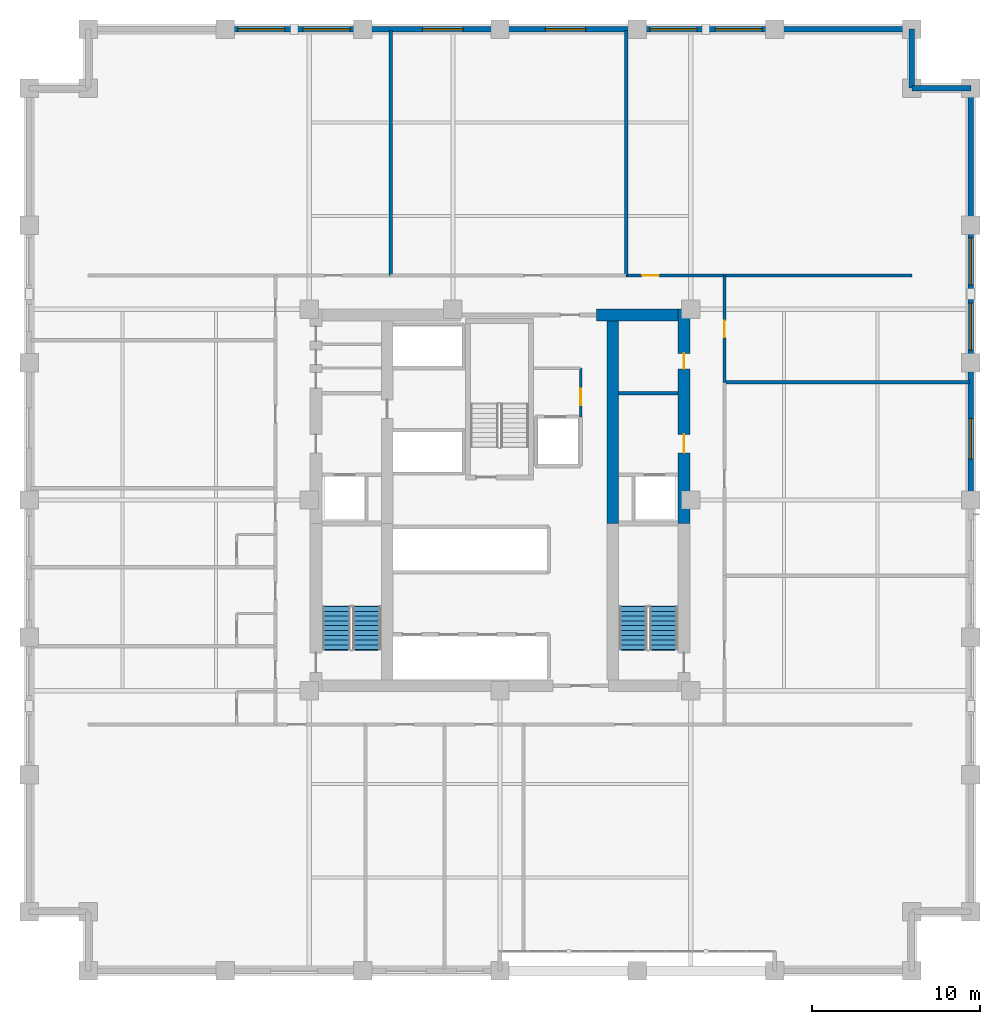
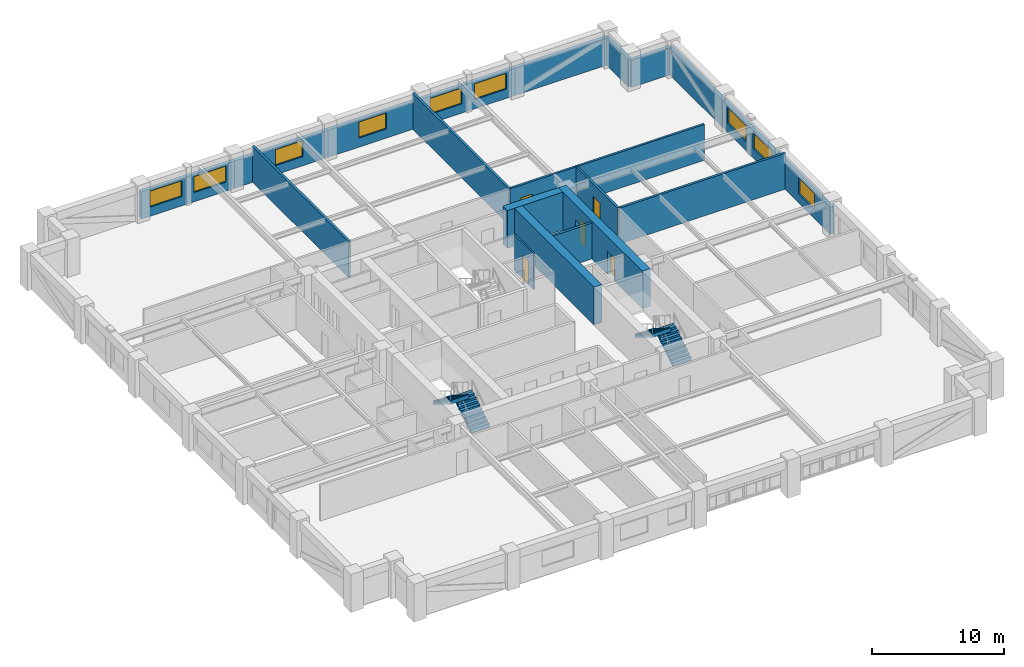
# One storey, part 10 of 13: 20 walls, 9 windows, 5 doors, 4 stair flights, 14 openings, 2 elements without a shape of their own.
"""IFC4 building model written with IfcOpenShell, lengths in metres."""

from ifc_helpers import new_model, si_unit, direction, frame, frame_2d, origin, place, context, subcontext, project, spatial, polyline, rectangle, outline, extrude, material, layer, layer_set, type_object, element, fill, aggregate, save


model = new_model("IFC4")

# Units and contexts
model_context = context("Model", 3, precision=1e-05, world=origin(), true_north=direction((0.0, 1.0)))
body_context = subcontext(model_context, "Body", "Model", "MODEL_VIEW")
ifc_project = project(units=[si_unit("LENGTHUNIT", "METRE"), si_unit("AREAUNIT", "SQUARE_METRE"), si_unit("VOLUMEUNIT", "CUBIC_METRE"), si_unit("PLANEANGLEUNIT", "RADIAN"), si_unit("MASSUNIT", "GRAM", prefix="KILO")], contexts=[model_context])

# Site, building, storey
site_placement = place(None, origin())
site = spatial("IfcSite", under=ifc_project, at=site_placement, CompositionType="ELEMENT")
building_placement = place(site_placement, origin())
building = spatial("IfcBuilding", under=site, at=building_placement, Name="Nhamokura Convention Tower", CompositionType="ELEMENT")
storey_placement = place(building_placement, frame((0.0, 0.0, 63.35009765625)))
storey = spatial("IfcBuildingStorey", under=building, at=storey_placement, Name="L14", CompositionType="ELEMENT", Elevation=63.35009765625)

# Wall, openings, windows
ifc_material_1 = material(Name="Bronze-pigmented precast concrete C45/55", Category="concrete")
ifc_layer_1 = layer(ifc_material_1, 0.320068359375)
ifc_layer_set_1 = layer_set([ifc_layer_1], Name="BronzePrecastSpandrel_320")
wall_type_1 = type_object("IfcWallType", Name="BronzePrecastSpandrel_320", PredefinedType="USERDEFINED", material=ifc_layer_set_1)
wall_1_placement = place(storey_placement, frame((15.666748046875, 60.0, 0.0), z_axis=(0.0, 0.0, 1.0), x_axis=(1.0, 0.0, 0.0)))
wall_1 = element("IfcWall", 1, at=wall_1_placement, inside=storey, type_object=wall_type_1, Name="L14 Masonry-Frame Wall NORTH 1", ObjectType="SPANDREL_WALL", PredefinedType="USERDEFINED", context=body_context, shape_type="SweptSolid", body=[
    extrude(rectangle(XDim=8.16650390625, YDim=0.320068359375, at=frame_2d((4.083251953125, 0.0))), origin(), (0.0, 0.0, 1.0), 2.52001953125),
])
opening_1_placement = place(wall_1_placement, frame((0.74169921875, 0.0, 0.85009765625)))
opening_1 = element("IfcOpeningElement", 2, at=opening_1_placement, cuts=wall_1, Name="Opening W-04", PredefinedType="OPENING", context=body_context, shape_type="SweptSolid", body=[
    extrude(rectangle(XDim=2.800048828125, YDim=1.469970703125, at=frame_2d((1.39990234375, 0.73486328125))), frame((0.0, 0.169921875, 0.0), z_axis=(0.0, -1.0, 0.0), x_axis=(1.0, 0.0, 0.0)), (0.0, 0.0, 1.0), 0.340087890625),
])
opening_2_placement = place(wall_1_placement, frame((4.625, 0.0, 0.85009765625)))
opening_2 = element("IfcOpeningElement", 3, at=opening_2_placement, cuts=wall_1, Name="Opening W-04", PredefinedType="OPENING", context=body_context, shape_type="SweptSolid", body=[
    extrude(rectangle(XDim=2.800048828125, YDim=1.469970703125, at=frame_2d((1.39990234375, 0.73486328125))), frame((0.0, 0.169921875, 0.0), z_axis=(0.0, -1.0, 0.0), x_axis=(1.0, 0.0, 0.0)), (0.0, 0.0, 1.0), 0.340087890625),
])
ifc_material_2 = material(Name="Solar-control bronze low-E double glass", Category="glass")
window_type_1 = type_object("IfcWindowType", Name="HotelSuiteWindow_2800", PartitioningType="DOUBLE_PANEL_VERTICAL", PredefinedType="WINDOW", material=ifc_material_2)
window_1_placement = place(opening_1_placement, origin())
window_1 = element("IfcWindow", 4, at=window_1_placement, inside=storey, type_object=window_type_1, Name="L14 Facade Window NORTH 1-1", OverallHeight=1.469970703125, OverallWidth=2.800048828125, PartitioningType="SINGLE_PANEL", PredefinedType="WINDOW", context=body_context, shape_type="SweptSolid", body=[
    extrude(rectangle(XDim=2.800048828125, YDim=1.469970703125, at=frame_2d((1.39990234375, 0.73486328125))), frame((0.0, 0.030029296875, 0.0), z_axis=(0.0, -1.0, 0.0), x_axis=(1.0, 0.0, 0.0)), (0.0, 0.0, 1.0), 0.06005859375),
])
fill(opening_1, window_1)
window_2_placement = place(opening_2_placement, origin())
window_2 = element("IfcWindow", 5, at=window_2_placement, inside=storey, type_object=window_type_1, Name="L14 Facade Window NORTH 1-2", OverallHeight=1.469970703125, OverallWidth=2.800048828125, PartitioningType="SINGLE_PANEL", PredefinedType="WINDOW", context=body_context, shape_type="SweptSolid", body=[
    extrude(rectangle(XDim=2.800048828125, YDim=1.469970703125, at=frame_2d((1.39990234375, 0.73486328125))), frame((0.0, 0.030029296875, 0.0), z_axis=(0.0, -1.0, 0.0), x_axis=(1.0, 0.0, 0.0)), (0.0, 0.0, 1.0), 0.06005859375),
])
fill(opening_2, window_2)

# Wall, opening, window
wall_2_placement = place(storey_placement, frame((23.833251953125, 60.0, 0.0), z_axis=(0.0, 0.0, 1.0), x_axis=(1.0, 0.0, 0.0)))
wall_2 = element("IfcWall", 6, at=wall_2_placement, inside=storey, type_object=wall_type_1, Name="L14 Masonry-Frame Wall NORTH 2", ObjectType="SPANDREL_WALL", PredefinedType="USERDEFINED", context=body_context, shape_type="SweptSolid", body=[
    extrude(rectangle(XDim=8.166748046875, YDim=0.320068359375, at=frame_2d((4.08349609375, 0.0))), origin(), (0.0, 0.0, 1.0), 2.52001953125),
])
opening_3_placement = place(wall_2_placement, frame((3.566650390625, 0.0, 0.85009765625)))
opening_3 = element("IfcOpeningElement", 7, at=opening_3_placement, cuts=wall_2, Name="Opening W-03", PredefinedType="OPENING", context=body_context, shape_type="SweptSolid", body=[
    extrude(rectangle(XDim=2.39990234375, YDim=1.469970703125, at=frame_2d((1.199951171875, 0.73486328125))), frame((0.0, 0.169921875, 0.0), z_axis=(0.0, -1.0, 0.0), x_axis=(1.0, 0.0, 0.0)), (0.0, 0.0, 1.0), 0.340087890625),
])
ifc_material_3 = material(Name="Solar-control bronze low-E double glass", Category="glass")
window_type_2 = type_object("IfcWindowType", Name="HotelBayWindow_2400", PartitioningType="DOUBLE_PANEL_VERTICAL", PredefinedType="WINDOW", material=ifc_material_3)
window_3_placement = place(opening_3_placement, origin())
window_3 = element("IfcWindow", 8, at=window_3_placement, inside=storey, type_object=window_type_2, Name="L14 Facade Window NORTH 2-2", OverallHeight=1.469970703125, OverallWidth=2.39990234375, PartitioningType="SINGLE_PANEL", PredefinedType="WINDOW", context=body_context, shape_type="SweptSolid", body=[
    extrude(rectangle(XDim=2.39990234375, YDim=1.469970703125, at=frame_2d((1.199951171875, 0.73486328125))), frame((0.0, 0.030029296875, 0.0), z_axis=(0.0, -1.0, 0.0), x_axis=(1.0, 0.0, 0.0)), (0.0, 0.0, 1.0), 0.06005859375),
])
fill(opening_3, window_3)

wall_3_placement = place(storey_placement, frame((32.0, 60.0, 0.0), z_axis=(0.0, 0.0, 1.0), x_axis=(1.0, 0.0, 0.0)))
wall_3 = element("IfcWall", 9, at=wall_3_placement, inside=storey, type_object=wall_type_1, Name="L14 Masonry-Frame Wall NORTH 3", ObjectType="SPANDREL_WALL", PredefinedType="USERDEFINED", context=body_context, shape_type="SweptSolid", body=[
    extrude(rectangle(XDim=8.166748046875, YDim=0.320068359375, at=frame_2d((4.08349609375, 0.0))), origin(), (0.0, 0.0, 1.0), 2.52001953125),
])
opening_4_placement = place(wall_3_placement, frame((2.699951171875, 0.0, 0.85009765625)))
opening_4 = element("IfcOpeningElement", 10, at=opening_4_placement, cuts=wall_3, Name="Opening W-03", PredefinedType="OPENING", context=body_context, shape_type="SweptSolid", body=[
    extrude(rectangle(XDim=2.39990234375, YDim=1.469970703125, at=frame_2d((1.199951171875, 0.73486328125))), frame((0.0, 0.169921875, 0.0), z_axis=(0.0, -1.0, 0.0), x_axis=(1.0, 0.0, 0.0)), (0.0, 0.0, 1.0), 0.340087890625),
])
window_4_placement = place(opening_4_placement, origin())
window_4 = element("IfcWindow", 11, at=window_4_placement, inside=storey, type_object=window_type_2, Name="L14 Facade Window NORTH 3", OverallHeight=1.469970703125, OverallWidth=2.39990234375, PartitioningType="SINGLE_PANEL", PredefinedType="WINDOW", context=body_context, shape_type="SweptSolid", body=[
    extrude(rectangle(XDim=2.39990234375, YDim=1.469970703125, at=frame_2d((1.199951171875, 0.73486328125))), frame((0.0, 0.030029296875, 0.0), z_axis=(0.0, -1.0, 0.0), x_axis=(1.0, 0.0, 0.0)), (0.0, 0.0, 1.0), 0.06005859375),
])
fill(opening_4, window_4)

# Wall, openings, windows
wall_4_placement = place(storey_placement, frame((40.166748046875, 60.0, 0.0), z_axis=(0.0, 0.0, 1.0), x_axis=(1.0, 0.0, 0.0)))
wall_4 = element("IfcWall", 12, at=wall_4_placement, inside=storey, type_object=wall_type_1, Name="L14 Masonry-Frame Wall NORTH 4", ObjectType="SPANDREL_WALL", PredefinedType="USERDEFINED", context=body_context, shape_type="SweptSolid", body=[
    extrude(rectangle(XDim=8.16650390625, YDim=0.320068359375, at=frame_2d((4.083251953125, 0.0))), origin(), (0.0, 0.0, 1.0), 2.52001953125),
])
opening_5_placement = place(wall_4_placement, frame((0.74169921875, 0.0, 0.85009765625)))
opening_5 = element("IfcOpeningElement", 13, at=opening_5_placement, cuts=wall_4, Name="Opening W-04", PredefinedType="OPENING", context=body_context, shape_type="SweptSolid", body=[
    extrude(rectangle(XDim=2.800048828125, YDim=1.469970703125, at=frame_2d((1.39990234375, 0.73486328125))), frame((0.0, 0.169921875, 0.0), z_axis=(0.0, -1.0, 0.0), x_axis=(1.0, 0.0, 0.0)), (0.0, 0.0, 1.0), 0.340087890625),
])
opening_6_placement = place(wall_4_placement, frame((4.625, 0.0, 0.85009765625)))
opening_6 = element("IfcOpeningElement", 14, at=opening_6_placement, cuts=wall_4, Name="Opening W-04", PredefinedType="OPENING", context=body_context, shape_type="SweptSolid", body=[
    extrude(rectangle(XDim=2.800048828125, YDim=1.469970703125, at=frame_2d((1.39990234375, 0.73486328125))), frame((0.0, 0.169921875, 0.0), z_axis=(0.0, -1.0, 0.0), x_axis=(1.0, 0.0, 0.0)), (0.0, 0.0, 1.0), 0.340087890625),
])
window_5_placement = place(opening_5_placement, origin())
window_5 = element("IfcWindow", 15, at=window_5_placement, inside=storey, type_object=window_type_1, Name="L14 Facade Window NORTH 4-1", OverallHeight=1.469970703125, OverallWidth=2.800048828125, PartitioningType="SINGLE_PANEL", PredefinedType="WINDOW", context=body_context, shape_type="SweptSolid", body=[
    extrude(rectangle(XDim=2.800048828125, YDim=1.469970703125, at=frame_2d((1.39990234375, 0.73486328125))), frame((0.0, 0.030029296875, 0.0), z_axis=(0.0, -1.0, 0.0), x_axis=(1.0, 0.0, 0.0)), (0.0, 0.0, 1.0), 0.06005859375),
])
fill(opening_5, window_5)
window_6_placement = place(opening_6_placement, origin())
window_6 = element("IfcWindow", 16, at=window_6_placement, inside=storey, type_object=window_type_1, Name="L14 Facade Window NORTH 4-2", OverallHeight=1.469970703125, OverallWidth=2.800048828125, PartitioningType="SINGLE_PANEL", PredefinedType="WINDOW", context=body_context, shape_type="SweptSolid", body=[
    extrude(rectangle(XDim=2.800048828125, YDim=1.469970703125, at=frame_2d((1.39990234375, 0.73486328125))), frame((0.0, 0.030029296875, 0.0), z_axis=(0.0, -1.0, 0.0), x_axis=(1.0, 0.0, 0.0)), (0.0, 0.0, 1.0), 0.06005859375),
])
fill(opening_6, window_6)

# Wall
wall_5_placement = place(storey_placement, frame((48.333251953125, 60.0, 0.0), z_axis=(0.0, 0.0, 1.0), x_axis=(1.0, 0.0, 0.0)))
element("IfcWall", 17, at=wall_5_placement, inside=storey, type_object=wall_type_1, Name="L14 Braced-Bay Precast Wall NORTH 5", ObjectType="SPANDREL_WALL", PredefinedType="USERDEFINED", context=body_context, shape_type="SweptSolid", body=[
    extrude(rectangle(XDim=8.166748046875, YDim=0.320068359375, at=frame_2d((4.08349609375, 0.0))), origin(), (0.0, 0.0, 1.0), 2.52001953125),
])

# Wall, opening, window
wall_6_placement = place(storey_placement, frame((60.0, 40.166748046875, 0.0), z_axis=(0.0, 0.0, 1.0), x_axis=(0.0, -1.0, 0.0)))
wall_6 = element("IfcWall", 18, at=wall_6_placement, inside=storey, type_object=wall_type_1, Name="L14 Masonry-Frame Wall EAST 3", ObjectType="SPANDREL_WALL", PredefinedType="USERDEFINED", context=body_context, shape_type="SweptSolid", body=[
    extrude(rectangle(XDim=8.166748046875, YDim=0.320068359375, at=frame_2d((4.08349609375, 0.0))), origin(), (0.0, 0.0, 1.0), 2.52001953125),
])
opening_7_placement = place(wall_6_placement, frame((3.316650390625, 0.0, 0.85009765625)))
opening_7 = element("IfcOpeningElement", 19, at=opening_7_placement, cuts=wall_6, Name="Opening W-03", PredefinedType="OPENING", context=body_context, shape_type="SweptSolid", body=[
    extrude(rectangle(XDim=2.39990234375, YDim=1.469970703125, at=frame_2d((1.199951171875, 0.73486328125))), frame((0.0, 0.169921875, 0.0), z_axis=(0.0, -1.0, 0.0), x_axis=(1.0, 0.0, 0.0)), (0.0, 0.0, 1.0), 0.340087890625),
])
window_7_placement = place(opening_7_placement, origin())
window_7 = element("IfcWindow", 20, at=window_7_placement, inside=storey, type_object=window_type_2, Name="L14 Facade Window EAST 3-2", OverallHeight=1.469970703125, OverallWidth=2.39990234375, PartitioningType="SINGLE_PANEL", PredefinedType="WINDOW", context=body_context, shape_type="SweptSolid", body=[
    extrude(rectangle(XDim=2.39990234375, YDim=1.469970703125, at=frame_2d((1.199951171875, 0.73486328125))), frame((0.0, 0.030029296875, 0.0), z_axis=(0.0, -1.0, 0.0), x_axis=(1.0, 0.0, 0.0)), (0.0, 0.0, 1.0), 0.06005859375),
])
fill(opening_7, window_7)

# Wall, openings, windows
wall_7_placement = place(storey_placement, frame((60.0, 48.333251953125, 0.0), z_axis=(0.0, 0.0, 1.0), x_axis=(0.0, -1.0, 0.0)))
wall_7 = element("IfcWall", 21, at=wall_7_placement, inside=storey, type_object=wall_type_1, Name="L14 Masonry-Frame Wall EAST 4", ObjectType="SPANDREL_WALL", PredefinedType="USERDEFINED", context=body_context, shape_type="SweptSolid", body=[
    extrude(rectangle(XDim=8.16650390625, YDim=0.320068359375, at=frame_2d((4.083251953125, 0.0))), origin(), (0.0, 0.0, 1.0), 2.52001953125),
])
opening_8_placement = place(wall_7_placement, frame((0.74169921875, 0.0, 0.85009765625)))
opening_8 = element("IfcOpeningElement", 22, at=opening_8_placement, cuts=wall_7, Name="Opening W-04", PredefinedType="OPENING", context=body_context, shape_type="SweptSolid", body=[
    extrude(rectangle(XDim=2.800048828125, YDim=1.469970703125, at=frame_2d((1.39990234375, 0.73486328125))), frame((0.0, 0.169921875, 0.0), z_axis=(0.0, -1.0, 0.0), x_axis=(1.0, 0.0, 0.0)), (0.0, 0.0, 1.0), 0.340087890625),
])
opening_9_placement = place(wall_7_placement, frame((4.625, 0.0, 0.85009765625)))
opening_9 = element("IfcOpeningElement", 23, at=opening_9_placement, cuts=wall_7, Name="Opening W-04", PredefinedType="OPENING", context=body_context, shape_type="SweptSolid", body=[
    extrude(rectangle(XDim=2.800048828125, YDim=1.469970703125, at=frame_2d((1.39990234375, 0.73486328125))), frame((0.0, 0.169921875, 0.0), z_axis=(0.0, -1.0, 0.0), x_axis=(1.0, 0.0, 0.0)), (0.0, 0.0, 1.0), 0.340087890625),
])
window_8_placement = place(opening_8_placement, origin())
window_8 = element("IfcWindow", 24, at=window_8_placement, inside=storey, type_object=window_type_1, Name="L14 Facade Window EAST 4-1", OverallHeight=1.469970703125, OverallWidth=2.800048828125, PartitioningType="SINGLE_PANEL", PredefinedType="WINDOW", context=body_context, shape_type="SweptSolid", body=[
    extrude(rectangle(XDim=2.800048828125, YDim=1.469970703125, at=frame_2d((1.39990234375, 0.73486328125))), frame((0.0, 0.030029296875, 0.0), z_axis=(0.0, -1.0, 0.0), x_axis=(1.0, 0.0, 0.0)), (0.0, 0.0, 1.0), 0.06005859375),
])
fill(opening_8, window_8)
window_9_placement = place(opening_9_placement, origin())
window_9 = element("IfcWindow", 25, at=window_9_placement, inside=storey, type_object=window_type_1, Name="L14 Facade Window EAST 4-2", OverallHeight=1.469970703125, OverallWidth=2.800048828125, PartitioningType="SINGLE_PANEL", PredefinedType="WINDOW", context=body_context, shape_type="SweptSolid", body=[
    extrude(rectangle(XDim=2.800048828125, YDim=1.469970703125, at=frame_2d((1.39990234375, 0.73486328125))), frame((0.0, 0.030029296875, 0.0), z_axis=(0.0, -1.0, 0.0), x_axis=(1.0, 0.0, 0.0)), (0.0, 0.0, 1.0), 0.06005859375),
])
fill(opening_9, window_9)

# Walls
wall_8_placement = place(storey_placement, frame((60.0, 56.5, 0.0), z_axis=(0.0, 0.0, 1.0), x_axis=(0.0, -1.0, 0.0)))
element("IfcWall", 26, at=wall_8_placement, inside=storey, type_object=wall_type_1, Name="L14 Braced-Bay Precast Wall EAST 5", ObjectType="SPANDREL_WALL", PredefinedType="USERDEFINED", context=body_context, shape_type="SweptSolid", body=[
    extrude(rectangle(XDim=8.166748046875, YDim=0.320068359375, at=frame_2d((4.08349609375, 0.0))), origin(), (0.0, 0.0, 1.0), 2.52001953125),
])
for number, where, z_axis, x_axis, name in (
    (27, (56.5, 56.5, 0.0), (0.0, 0.0, 1.0), (1.0, 0.0, 0.0), "L14 Notched Corner Wall NE1"),
    (28, (56.5, 60.0, 0.0), (0.0, 0.0, 1.0), (0.0, -1.0, 0.0), "L14 Notched Corner Wall NE2"),
):
    element("IfcWall", number, at=place(storey_placement, frame(where, z_axis=z_axis, x_axis=x_axis)), inside=storey, type_object=wall_type_1, Name=name, ObjectType="SPANDREL_WALL", PredefinedType="USERDEFINED", context=body_context, shape_type="SweptSolid", body=[
        extrude(rectangle(XDim=3.5, YDim=0.320068359375, at=frame_2d((1.75, 0.0))), origin(), (0.0, 0.0, 1.0), 2.52001953125),
    ])

# Wall, openings, doors
ifc_material_4 = material(Name="Concrete C70/85", Category="concrete")
ifc_layer_2 = layer(ifc_material_4, 0.699951171875)
ifc_layer_set_2 = layer_set([ifc_layer_2], Name="CoreShearWall_700")
wall_type_2 = type_object("IfcWallType", Name="CoreShearWall_700", PredefinedType="SHEAR", material=ifc_layer_set_2)
wall_9_placement = place(storey_placement, frame((42.93994140625, 30.60009765625, 0.0), z_axis=(0.0, 0.0, 1.0), x_axis=(0.0, 1.0, 0.0)))
wall_9 = element("IfcWall", 29, at=wall_9_placement, inside=storey, type_object=wall_type_2, Name="L14 Core Shear Wall CW-EN", PredefinedType="SHEAR", context=body_context, shape_type="SweptSolid", body=[
    extrude(rectangle(XDim=12.75, YDim=0.699951171875, at=frame_2d((6.375, 0.0))), origin(), (0.0, 0.0, 1.0), 3.5),
])
opening_10_placement = place(wall_9_placement, frame((4.199951171875, 0.0, 0.0)))
opening_10 = element("IfcOpeningElement", 30, at=opening_10_placement, cuts=wall_9, Name="Opening D-05", PredefinedType="OPENING", context=body_context, shape_type="SweptSolid", body=[
    extrude(rectangle(XDim=1.10009765625, YDim=2.14990234375, at=frame_2d((0.550048828125, 1.074951171875))), frame((0.0, 0.35986328125, 0.0), z_axis=(0.0, -1.0, 0.0), x_axis=(1.0, 0.0, 0.0)), (0.0, 0.0, 1.0), 0.719970703125),
])
opening_11_placement = place(wall_9_placement, frame((9.199951171875, 0.0, 0.0)))
opening_11 = element("IfcOpeningElement", 31, at=opening_11_placement, cuts=wall_9, Name="Opening D-10", PredefinedType="OPENING", context=body_context, shape_type="SweptSolid", body=[
    extrude(rectangle(XDim=0.919921875, YDim=2.10009765625, at=frame_2d((0.4599609375, 1.050048828125))), frame((0.0, 0.35986328125, 0.0), z_axis=(0.0, -1.0, 0.0), x_axis=(1.0, 0.0, 0.0)), (0.0, 0.0, 1.0), 0.719970703125),
])
ifc_material_5 = material(Name="Solid oak hardwood", Category="wood")
door_type_1 = type_object("IfcDoorType", Name="AccessibleWCDoor_920", OperationType="NOTDEFINED", PredefinedType="DOOR", material=ifc_material_5)
door_1_placement = place(opening_11_placement, origin())
door_1 = element("IfcDoor", 32, at=door_1_placement, inside=storey, type_object=door_type_1, Name="L14 Core Door INT-L14-D-UWC", OperationType="SINGLE_SWING_RIGHT", OverallHeight=2.10009765625, OverallWidth=0.919921875, PredefinedType="DOOR", context=body_context, shape_type="SweptSolid", body=[
    extrude(rectangle(XDim=0.919921875, YDim=2.10009765625, at=frame_2d((0.4599609375, 1.050048828125))), frame((0.0, 0.02490234375, 0.0), z_axis=(0.0, -1.0, 0.0), x_axis=(1.0, 0.0, 0.0)), (0.0, 0.0, 1.0), 0.050048828125),
])
fill(opening_11, door_1)
ifc_material_6 = material(Name="Fire-rated steel door", Category="steel")
door_type_2 = type_object("IfcDoorType", Name="FireLobbyDoor_1100", OperationType="NOTDEFINED", PredefinedType="DOOR", material=ifc_material_6)
door_2_placement = place(opening_10_placement, origin())
door_2 = element("IfcDoor", 33, at=door_2_placement, inside=storey, type_object=door_type_2, Name="L14 Core Door INT-L14-D-FFLE", OperationType="SINGLE_SWING_LEFT", OverallHeight=2.14990234375, OverallWidth=1.10009765625, PredefinedType="DOOR", context=body_context, shape_type="SweptSolid", body=[
    extrude(rectangle(XDim=1.10009765625, YDim=2.14990234375, at=frame_2d((0.550048828125, 1.074951171875))), frame((0.0, 0.02490234375, 0.0), z_axis=(0.0, -1.0, 0.0), x_axis=(1.0, 0.0, 0.0)), (0.0, 0.0, 1.0), 0.050048828125),
])
fill(opening_10, door_2)

# Walls
wall_10_placement = place(storey_placement, frame((37.75, 43.0, 0.0), z_axis=(0.0, 0.0, 1.0), x_axis=(1.0, 0.0, 0.0)))
element("IfcWall", 34, at=wall_10_placement, inside=storey, type_object=wall_type_2, Name="L14 Core Shear Wall CW-N2", PredefinedType="SHEAR", context=body_context, shape_type="SweptSolid", body=[
    extrude(rectangle(XDim=4.840087890625, YDim=0.699951171875, at=frame_2d((2.419921875, 0.0))), origin(), (0.0, 0.0, 1.0), 3.5),
])
wall_11_placement = place(storey_placement, frame((38.7099609375, 30.60009765625, 0.0), z_axis=(0.0, 0.0, 1.0), x_axis=(0.0, 1.0, 0.0)))
element("IfcWall", 35, at=wall_11_placement, inside=storey, type_object=wall_type_2, Name="L14 Core Shear Wall CW-IEN", PredefinedType="SHEAR", context=body_context, shape_type="SweptSolid", body=[
    extrude(rectangle(XDim=12.0498046875, YDim=0.699951171875, at=frame_2d((6.02490234375, 0.0))), origin(), (0.0, 0.0, 1.0), 3.5),
])

# Wall, opening, door
ifc_material_7 = material(Name="Fire-rated gypsum and masonry partition", Category="masonry")
ifc_layer_3 = layer(ifc_material_7, 0.179931640625)
ifc_layer_set_3 = layer_set([ifc_layer_3], Name="CorridorRatedWall_180")
wall_type_3 = type_object("IfcWallType", Name="CorridorRatedWall_180", PredefinedType="STANDARD", material=ifc_layer_set_3)
wall_12_placement = place(storey_placement, frame((39.5, 45.35009765625, 0.0), z_axis=(0.0, 0.0, 1.0), x_axis=(1.0, 0.0, 0.0)))
wall_12 = element("IfcWall", 36, at=wall_12_placement, inside=storey, type_object=wall_type_3, Name="L14 Wall INT-L14-CW-N02", PredefinedType="STANDARD", context=body_context, shape_type="SweptSolid", body=[
    extrude(rectangle(XDim=17.0, YDim=0.179931640625, at=frame_2d((8.5, 0.0))), origin(), (0.0, 0.0, 1.0), 3.31982421875),
])
opening_12_placement = place(wall_12_placement, frame((0.949951171875, 0.0, 0.0)))
opening_12 = element("IfcOpeningElement", 37, at=opening_12_placement, cuts=wall_12, Name="Opening D-07", PredefinedType="OPENING", context=body_context, shape_type="SweptSolid", body=[
    extrude(rectangle(XDim=1.0, YDim=2.14990234375, at=frame_2d((0.5, 1.074951171875))), frame((0.0, 0.099853515625, 0.0), z_axis=(0.0, -1.0, 0.0), x_axis=(1.0, 0.0, 0.0)), (0.0, 0.0, 1.0), 0.199951171875),
])
ifc_material_8 = material(Name="Solid oak hardwood", Category="wood")
door_type_3 = type_object("IfcDoorType", Name="HotelSuiteEntryDoor_1000", OperationType="NOTDEFINED", PredefinedType="DOOR", material=ifc_material_8)
door_3_placement = place(opening_12_placement, origin())
door_3 = element("IfcDoor", 38, at=door_3_placement, inside=storey, type_object=door_type_3, Name="L14 Conference Salon N03 Door", OperationType="SINGLE_SWING_LEFT", OverallHeight=2.14990234375, OverallWidth=1.0, PredefinedType="DOOR", context=body_context, shape_type="SweptSolid", body=[
    extrude(rectangle(XDim=1.0, YDim=2.14990234375, at=frame_2d((0.5, 1.074951171875))), frame((0.0, 0.02490234375, 0.0), z_axis=(0.0, -1.0, 0.0), x_axis=(1.0, 0.0, 0.0)), (0.0, 0.0, 1.0), 0.050048828125),
])
fill(opening_12, door_3)

wall_13_placement = place(storey_placement, frame((45.35009765625, 39.0, 0.0), z_axis=(0.0, 0.0, 1.0), x_axis=(0.0, 1.0, 0.0)))
wall_13 = element("IfcWall", 39, at=wall_13_placement, inside=storey, type_object=wall_type_3, Name="L14 Wall INT-L14-CW-E02", PredefinedType="STANDARD", context=body_context, shape_type="SweptSolid", body=[
    extrude(rectangle(XDim=6.35009765625, YDim=0.179931640625, at=frame_2d((3.175048828125, 0.0))), origin(), (0.0, 0.0, 1.0), 3.31982421875),
])
opening_13_placement = place(wall_13_placement, frame((2.675048828125, 0.0, 0.0)))
opening_13 = element("IfcOpeningElement", 40, at=opening_13_placement, cuts=wall_13, Name="Opening D-07", PredefinedType="OPENING", context=body_context, shape_type="SweptSolid", body=[
    extrude(rectangle(XDim=1.0, YDim=2.14990234375, at=frame_2d((0.5, 1.074951171875))), frame((0.0, 0.099853515625, 0.0), z_axis=(0.0, -1.0, 0.0), x_axis=(1.0, 0.0, 0.0)), (0.0, 0.0, 1.0), 0.199951171875),
])
door_4_placement = place(opening_13_placement, origin())
door_4 = element("IfcDoor", 41, at=door_4_placement, inside=storey, type_object=door_type_3, Name="L14 Business Studio E03 Door", OperationType="SINGLE_SWING_LEFT", OverallHeight=2.14990234375, OverallWidth=1.0, PredefinedType="DOOR", context=body_context, shape_type="SweptSolid", body=[
    extrude(rectangle(XDim=1.0, YDim=2.14990234375, at=frame_2d((0.5, 1.074951171875))), frame((0.0, 0.02490234375, 0.0), z_axis=(0.0, -1.0, 0.0), x_axis=(1.0, 0.0, 0.0)), (0.0, 0.0, 1.0), 0.050048828125),
])
fill(opening_13, door_4)

# Walls
ifc_material_9 = material(Name="Autoclaved concrete blockwork", Category="masonry")
ifc_layer_4 = layer(ifc_material_9, 0.219970703125)
ifc_layer_set_4 = layer_set([ifc_layer_4], Name="FireLobbyWall_220")
wall_type_4 = type_object("IfcWallType", Name="FireLobbyWall_220", PredefinedType="STANDARD", material=ifc_layer_set_4)
wall_14_placement = place(storey_placement, frame((39.06005859375, 38.35009765625, 0.0), z_axis=(0.0, 0.0, 1.0), x_axis=(1.0, 0.0, 0.0)))
element("IfcWall", 42, at=wall_14_placement, inside=storey, type_object=wall_type_4, Name="L14 Wall INT-L14-FFE-N", PredefinedType="STANDARD", context=body_context, shape_type="SweptSolid", body=[
    extrude(rectangle(XDim=3.530029296875, YDim=0.219970703125, at=frame_2d((1.76513671875, 0.0))), origin(), (0.0, 0.0, 1.0), 3.31982421875),
])
ifc_material_10 = material(Name="Acoustic twin-stud gypsum partition", Category="masonry")
ifc_layer_5 = layer(ifc_material_10, 0.199951171875)
ifc_layer_set_5 = layer_set([ifc_layer_5], Name="HotelDemisingWall_200")
wall_type_5 = type_object("IfcWallType", Name="HotelDemisingWall_200", PredefinedType="STANDARD", material=ifc_layer_set_5)
for number, where, z_axis, x_axis, name in (
    (43, (25.5, 45.35009765625, 0.0), (0.0, 0.0, 1.0), (0.0, 1.0, 0.0), "L14 Wall INT-L14-RW-N01"),
    (44, (39.5, 45.35009765625, 0.0), (0.0, 0.0, 1.0), (0.0, 1.0, 0.0), "L14 Wall INT-L14-RW-N02"),
    (45, (45.35009765625, 39.0, 0.0), (0.0, 0.0, 1.0), (1.0, 0.0, 0.0), "L14 Wall INT-L14-RW-E02"),
):
    element("IfcWall", number, at=place(storey_placement, frame(where, z_axis=z_axis, x_axis=x_axis)), inside=storey, type_object=wall_type_5, Name=name, PredefinedType="STANDARD", context=body_context, shape_type="SweptSolid", body=[
        extrude(rectangle(XDim=14.58984375, YDim=0.199951171875, at=frame_2d((7.294921875, 0.0))), origin(), (0.0, 0.0, 1.0), 3.31982421875),
    ])

# Wall, opening, door
ifc_material_11 = material(Name="Acoustic gypsum stud partition", Category="masonry")
ifc_layer_6 = layer(ifc_material_11, 0.14990234375)
ifc_layer_set_6 = layer_set([ifc_layer_6], Name="InteriorPartition_150")
wall_type_6 = type_object("IfcWallType", Name="InteriorPartition_150", PredefinedType="STANDARD", material=ifc_layer_set_6)
wall_15_placement = place(storey_placement, frame((36.800048828125, 36.949951171875, 0.0), z_axis=(0.0, 0.0, 1.0), x_axis=(0.0, 1.0, 0.0)))
wall_15 = element("IfcWall", 46, at=wall_15_placement, inside=storey, type_object=wall_type_6, Name="L14 Wall INT-L14-NE-TELE", PredefinedType="STANDARD", context=body_context, shape_type="SweptSolid", body=[
    extrude(rectangle(XDim=2.900146484375, YDim=0.14990234375, at=frame_2d((1.4501953125, 0.0))), origin(), (0.0, 0.0, 1.0), 3.31982421875),
])
opening_14_placement = place(wall_15_placement, frame((0.699951171875, 0.0, 0.0)))
opening_14 = element("IfcOpeningElement", 47, at=opening_14_placement, cuts=wall_15, Name="Opening D-08", PredefinedType="OPENING", context=body_context, shape_type="SweptSolid", body=[
    extrude(rectangle(XDim=0.97998046875, YDim=2.199951171875, at=frame_2d((0.489990234375, 1.10009765625))), frame((0.0, 0.0849609375, 0.0), z_axis=(0.0, -1.0, 0.0), x_axis=(1.0, 0.0, 0.0)), (0.0, 0.0, 1.0), 0.169921875),
])
ifc_material_12 = material(Name="Solid oak hardwood", Category="wood")
door_type_4 = type_object("IfcDoorType", Name="OfficeEntryDoor_980", OperationType="NOTDEFINED", PredefinedType="DOOR", material=ifc_material_12)
door_5_placement = place(opening_14_placement, origin())
door_5 = element("IfcDoor", 48, at=door_5_placement, inside=storey, type_object=door_type_4, Name="L14 Core Telecom Door", OperationType="SINGLE_SWING_LEFT", OverallHeight=2.199951171875, OverallWidth=0.97998046875, PredefinedType="DOOR", context=body_context, shape_type="SweptSolid", body=[
    extrude(rectangle(XDim=0.97998046875, YDim=2.199951171875, at=frame_2d((0.489990234375, 1.10009765625))), frame((0.0, 0.02490234375, 0.0), z_axis=(0.0, -1.0, 0.0), x_axis=(1.0, 0.0, 0.0)), (0.0, 0.0, 1.0), 0.050048828125),
])
fill(opening_14, door_5)

# Stair, stair flights
ifc_material_13 = material(Name="Concrete C40/50", Category="concrete")
stair_type = type_object("IfcStairType", Name="TowerCoreStair_1650", PredefinedType="HALF_TURN_STAIR", material=ifc_material_13)
stair_1_placement = place(storey_placement, origin())
stair_1 = element("IfcStair", 49, at=stair_1_placement, inside=storey, type_object=stair_type, Name="L14 West Core Smokeproof Stair ST-01", PredefinedType="HALF_TURN_STAIR")
ifc_material_14 = material(Name="Concrete C40/50", Category="concrete")
stair_flight_type = type_object("IfcStairFlightType", Name="TowerCoreStair_1650_Flight", PredefinedType="STRAIGHT", material=ifc_material_14)
stair_flight_1_placement = place(storey_placement, frame((24.074951171875, 23.10009765625, 0.0), z_axis=(0.0, 0.0, 1.0), x_axis=(0.0, 1.0, 0.0)))
stair_flight_1 = element("IfcStairFlight", 50, at=stair_flight_1_placement, type_object=stair_flight_type, Name="ST-01 flight 1", NumberOfRisers=10, NumberOfTreads=9, PredefinedType="STRAIGHT", RiserHeight=0.175, TreadLength=0.285, context=body_context, shape_type="SweptSolid", body=[
    extrude(outline(polyline([(-0.0419921875, 0.0), (0.0, 0.175048828125), (0.284912109375, 0.175048828125), (0.284912109375, 0.35009765625), (0.570068359375, 0.35009765625), (0.570068359375, 0.52490234375), (0.85498046875, 0.52490234375), (0.85498046875, 0.699951171875), (1.139892578125, 0.699951171875), (1.139892578125, 0.875), (1.425048828125, 0.875), (1.425048828125, 1.050048828125), (1.7099609375, 1.050048828125), (1.7099609375, 1.22509765625), (1.9951171875, 1.22509765625), (1.9951171875, 1.39990234375), (2.280029296875, 1.39990234375), (2.280029296875, 1.574951171875), (2.56494140625, 1.574951171875), (2.56494140625, 1.75), (2.60693359375, 1.75), (2.60693359375, 1.399169921875), (2.56494140625, 1.399169921875), (0.286376953125, 0.0), (0.02001953125, -0.1298828125), (-0.0419921875, -0.1298828125), (-0.0419921875, 0.0)])), frame((0.0, 0.824951171875, 0.0), z_axis=(0.0, -1.0, 0.0), x_axis=(1.0, 0.0, 0.0)), (0.0, 0.0, 1.0), 1.64990234375),
])
stair_flight_2_placement = place(storey_placement, frame((22.27490234375, 25.6650390625, 1.75), z_axis=(0.0, 0.0, 1.0), x_axis=(0.0, -1.0, 0.0)))
stair_flight_2 = element("IfcStairFlight", 51, at=stair_flight_2_placement, type_object=stair_flight_type, Name="ST-01 flight 2", NumberOfRisers=10, NumberOfTreads=9, PredefinedType="STRAIGHT", RiserHeight=0.175, TreadLength=0.285, context=body_context, shape_type="SweptSolid", body=[
    extrude(outline(polyline([(-0.0419921875, 0.0), (0.0, 0.175048828125), (0.284912109375, 0.175048828125), (0.284912109375, 0.35009765625), (0.570068359375, 0.35009765625), (0.570068359375, 0.52490234375), (0.85498046875, 0.52490234375), (0.85498046875, 0.699951171875), (1.139892578125, 0.699951171875), (1.139892578125, 0.875), (1.425048828125, 0.875), (1.425048828125, 1.050048828125), (1.7099609375, 1.050048828125), (1.7099609375, 1.22509765625), (1.9951171875, 1.22509765625), (1.9951171875, 1.39990234375), (2.280029296875, 1.39990234375), (2.280029296875, 1.574951171875), (2.56494140625, 1.574951171875), (2.56494140625, 1.75), (2.60693359375, 1.75), (2.60693359375, 1.399169921875), (2.56494140625, 1.399169921875), (0.286376953125, 0.0), (0.02001953125, -0.1298828125), (-0.0419921875, -0.1298828125), (-0.0419921875, 0.0)])), frame((0.0, 0.824951171875, 0.0), z_axis=(0.0, -1.0, 0.0), x_axis=(1.0, 0.0, 0.0)), (0.0, 0.0, 1.0), 1.64990234375),
])
aggregate(stair_1, [stair_flight_1, stair_flight_2])

stair_2_placement = place(storey_placement, origin())
stair_2 = element("IfcStair", 52, at=stair_2_placement, inside=storey, type_object=stair_type, Name="L14 East Core Smokeproof Stair ST-02", PredefinedType="HALF_TURN_STAIR")
stair_flight_3_placement = place(storey_placement, frame((41.72509765625, 23.10009765625, 0.0), z_axis=(0.0, 0.0, 1.0), x_axis=(0.0, 1.0, 0.0)))
stair_flight_3 = element("IfcStairFlight", 53, at=stair_flight_3_placement, type_object=stair_flight_type, Name="ST-02 flight 1", NumberOfRisers=10, NumberOfTreads=9, PredefinedType="STRAIGHT", RiserHeight=0.175, TreadLength=0.285, context=body_context, shape_type="SweptSolid", body=[
    extrude(outline(polyline([(-0.0419921875, 0.0), (0.0, 0.175048828125), (0.284912109375, 0.175048828125), (0.284912109375, 0.35009765625), (0.570068359375, 0.35009765625), (0.570068359375, 0.52490234375), (0.85498046875, 0.52490234375), (0.85498046875, 0.699951171875), (1.139892578125, 0.699951171875), (1.139892578125, 0.875), (1.425048828125, 0.875), (1.425048828125, 1.050048828125), (1.7099609375, 1.050048828125), (1.7099609375, 1.22509765625), (1.9951171875, 1.22509765625), (1.9951171875, 1.39990234375), (2.280029296875, 1.39990234375), (2.280029296875, 1.574951171875), (2.56494140625, 1.574951171875), (2.56494140625, 1.75), (2.60693359375, 1.75), (2.60693359375, 1.399169921875), (2.56494140625, 1.399169921875), (0.286376953125, 0.0), (0.02001953125, -0.1298828125), (-0.0419921875, -0.1298828125), (-0.0419921875, 0.0)])), frame((0.0, 0.824951171875, 0.0), z_axis=(0.0, -1.0, 0.0), x_axis=(1.0, 0.0, 0.0)), (0.0, 0.0, 1.0), 1.64990234375),
])
stair_flight_4_placement = place(storey_placement, frame((39.925048828125, 25.6650390625, 1.75), z_axis=(0.0, 0.0, 1.0), x_axis=(0.0, -1.0, 0.0)))
stair_flight_4 = element("IfcStairFlight", 54, at=stair_flight_4_placement, type_object=stair_flight_type, Name="ST-02 flight 2", NumberOfRisers=10, NumberOfTreads=9, PredefinedType="STRAIGHT", RiserHeight=0.175, TreadLength=0.285, context=body_context, shape_type="SweptSolid", body=[
    extrude(outline(polyline([(-0.0419921875, 0.0), (0.0, 0.175048828125), (0.284912109375, 0.175048828125), (0.284912109375, 0.35009765625), (0.570068359375, 0.35009765625), (0.570068359375, 0.52490234375), (0.85498046875, 0.52490234375), (0.85498046875, 0.699951171875), (1.139892578125, 0.699951171875), (1.139892578125, 0.875), (1.425048828125, 0.875), (1.425048828125, 1.050048828125), (1.7099609375, 1.050048828125), (1.7099609375, 1.22509765625), (1.9951171875, 1.22509765625), (1.9951171875, 1.39990234375), (2.280029296875, 1.39990234375), (2.280029296875, 1.574951171875), (2.56494140625, 1.574951171875), (2.56494140625, 1.75), (2.60693359375, 1.75), (2.60693359375, 1.399169921875), (2.56494140625, 1.399169921875), (0.286376953125, 0.0), (0.02001953125, -0.1298828125), (-0.0419921875, -0.1298828125), (-0.0419921875, 0.0)])), frame((0.0, 0.824951171875, 0.0), z_axis=(0.0, -1.0, 0.0), x_axis=(1.0, 0.0, 0.0)), (0.0, 0.0, 1.0), 1.64990234375),
])
aggregate(stair_2, [stair_flight_3, stair_flight_4])

save(model, "model.ifc")
